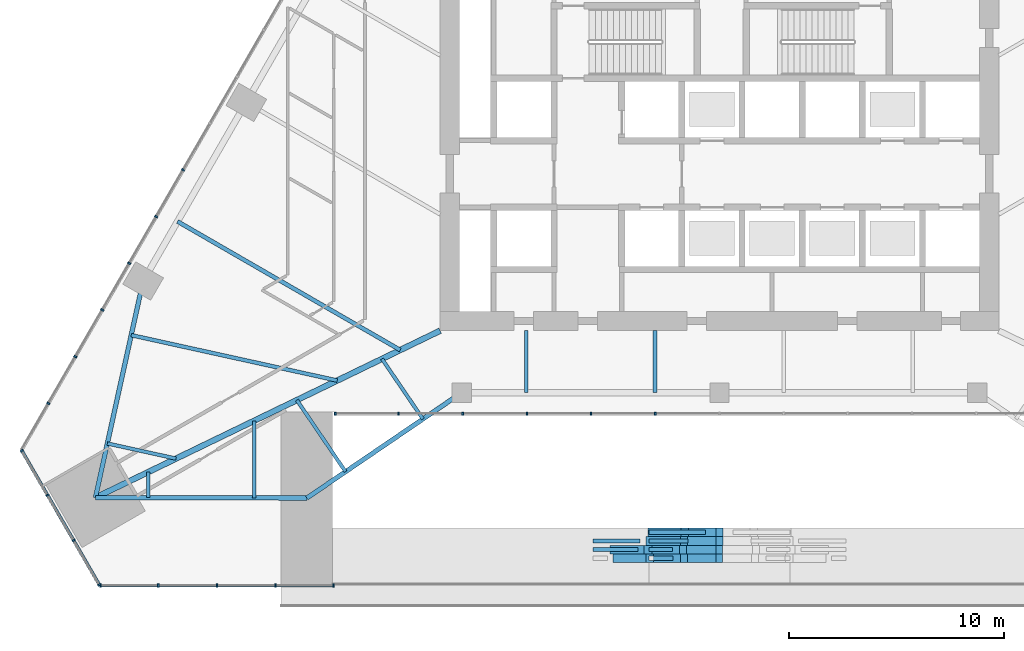
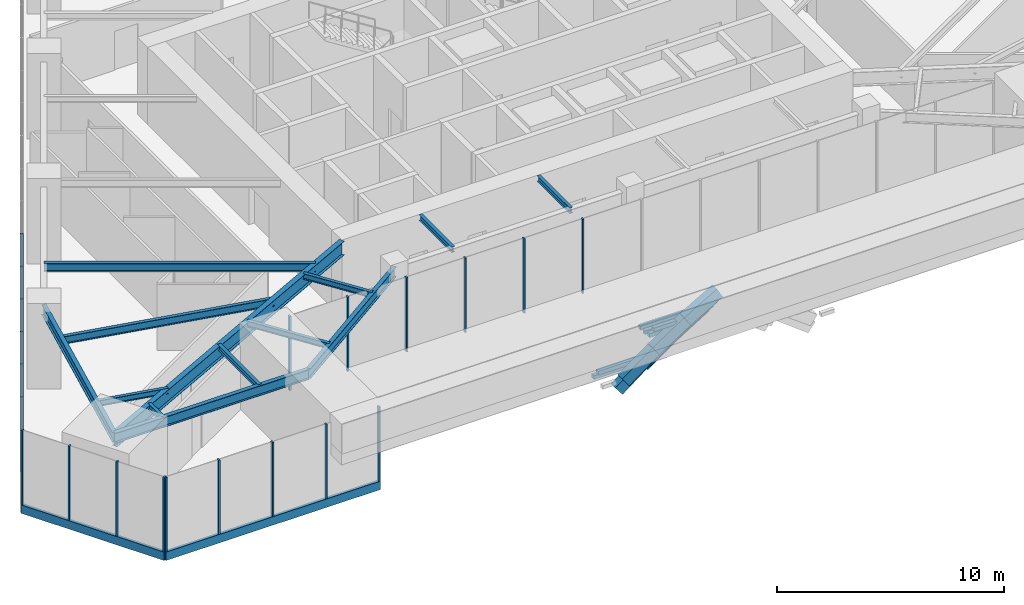
# One storey, part 2 of 23: 33 members, 19 beams, 4 elements without a shape of their own.
"""IFC4 building model written with IfcOpenShell, lengths in metres."""

import ifcopenshell
import ifcopenshell.guid

model = None  # the IFC model being written
_history = None  # IfcOwnerHistory: only IFC2X3 demands one
_inside = {}  # id of a spatial element -> (the spatial element, [elements in it])
_under = {}  # id of a project, library or spatial element -> (it, [spatial elements below it])
_declared = {}  # id of a project -> (the project, [libraries it declares])
_typed = {}  # id of a type object -> (the type object, [elements of that type])
_made_of = {}  # id of a material, layer set ... -> (it, [elements and type objects made of it])


def new_model(schema):
    """Start an empty IFC model of exactly this schema.

    Asked for "IFC4X3", IfcOpenShell would pick the latest addendum, in which some entities
    have other attributes; the version numbers below select the first issue.
    IFC2X3 requires an IfcOwnerHistory on every rooted entity: one is made here for all.
    """
    global model, _history
    if schema == "IFC4X3":
        model = ifcopenshell.file(schema_version=(4, 3, 0, 0))
    else:
        model = ifcopenshell.file(schema=schema)
    _inside.clear()
    _under.clear()
    _declared.clear()
    _typed.clear()
    _made_of.clear()
    _history = None
    if model.schema == "IFC2X3":
        org = make("IfcOrganization", Name="unknown")
        user = make(
            "IfcPersonAndOrganization",
            ThePerson=make("IfcPerson", FamilyName="unknown"),
            TheOrganization=org,
        )
        app = make(
            "IfcApplication",
            ApplicationDeveloper=org,
            Version="unknown",
            ApplicationFullName="unknown",
            ApplicationIdentifier="unknown",
        )
        _history = make(
            "IfcOwnerHistory",
            OwningUser=user,
            OwningApplication=app,
            ChangeAction="ADDED",
            CreationDate=0,
        )
    return model


def make(cls, **values):
    """One entity of the class cls with the attributes given. An attribute that is None is left unset."""
    return model.create_entity(
        cls, **{name: value for name, value in values.items() if value is not None}
    )


def rooted(cls, **values):
    """An entity with a GlobalId (a new one), such as an element, a storey or a relation."""
    return make(cls, GlobalId=ifcopenshell.guid.new(), OwnerHistory=_history, **values)


def si_unit(unit_type, name, prefix=None):
    """IfcSIUnit, for example si_unit("LENGTHUNIT", "METRE", prefix="MILLI")."""
    return make("IfcSIUnit", UnitType=unit_type, Prefix=prefix, Name=name)


def assignment(units):
    """IfcUnitAssignment: the units of a project."""
    return None if units is None else make("IfcUnitAssignment", Units=units)


def point(xyz):
    """IfcCartesianPoint."""
    return None if xyz is None else make("IfcCartesianPoint", Coordinates=xyz)


def direction(xyz):
    """IfcDirection."""
    return None if xyz is None else make("IfcDirection", DirectionRatios=xyz)


def frame(location, z_axis=None, x_axis=None):
    """IfcAxis2Placement3D, a coordinate frame: its origin and axes. An axis left out is left unset."""
    return make(
        "IfcAxis2Placement3D",
        Location=point(location),
        Axis=direction(z_axis),
        RefDirection=direction(x_axis),
    )


def frame_2d(location, x_axis=None):
    """IfcAxis2Placement2D, a coordinate frame in the plane: its origin and x axis."""
    return make(
        "IfcAxis2Placement2D", Location=point(location), RefDirection=direction(x_axis)
    )


def origin():
    """The frame at (0, 0, 0) with its axes left unset."""
    return frame((0.0, 0.0, 0.0))


def origin_2d():
    """The frame at (0, 0) in the plane with its x axis left unset."""
    return frame_2d((0.0, 0.0))


def place(relative_to, where):
    """IfcLocalPlacement: puts the frame where relative to a parent placement (None: the world)."""
    return make(
        "IfcLocalPlacement", PlacementRelTo=relative_to, RelativePlacement=where
    )


def context(
    kind, dimensions, precision=None, world=None, true_north=None, identifier=None
):
    """IfcGeometricRepresentationContext, for example the 3D "Model" context."""
    return make(
        "IfcGeometricRepresentationContext",
        ContextIdentifier=identifier,
        ContextType=kind,
        CoordinateSpaceDimension=dimensions,
        Precision=precision,
        WorldCoordinateSystem=world,
        TrueNorth=true_north,
    )


def subcontext(parent, identifier, kind, view, scale=None):
    """IfcGeometricRepresentationSubContext, for example "Body" below "Model"."""
    return make(
        "IfcGeometricRepresentationSubContext",
        ContextIdentifier=identifier,
        ContextType=kind,
        ParentContext=parent,
        TargetScale=scale,
        TargetView=view,
    )


def project(units=None, contexts=None):
    """IfcProject with its units and contexts."""
    return rooted(
        "IfcProject",
        Name="project",
        RepresentationContexts=contexts,
        UnitsInContext=assignment(units),
    )


def spatial(cls, under=None, at=None, **own):
    """A site, building, storey or space (cls), placed at a placement, below another one or the project."""
    s = rooted(cls, ObjectPlacement=at, **own)
    if under is not None:
        _under.setdefault(under.id(), (under, []))[1].append(s)
    return s


def profile(cls, at=None, kind="AREA", **sizes):
    """A parametric profile (cls). Its sizes go by their IFC names, for example OverallWidth=200.0."""
    return make(cls, ProfileType=kind, Position=at, **sizes)


def rectangle(**sizes):
    """IfcRectangleProfileDef."""
    return profile("IfcRectangleProfileDef", **sizes)


def i_section(**sizes):
    """IfcIShapeProfileDef."""
    return profile("IfcIShapeProfileDef", **sizes)


def extrude(swept, where, along, depth):
    """IfcExtrudedAreaSolid: the profile swept, set in the frame where, extruded along a direction by depth."""
    return make(
        "IfcExtrudedAreaSolid",
        SweptArea=swept,
        Position=where,
        ExtrudedDirection=direction(along),
        Depth=depth,
    )


def shape(context_of_items, identifier, shape_type, items):
    """IfcShapeRepresentation: the items that make up one representation, for example the "Body"."""
    return make(
        "IfcShapeRepresentation",
        ContextOfItems=context_of_items,
        RepresentationIdentifier=identifier,
        RepresentationType=shape_type,
        Items=items,
    )


def material(Name=None, Category=None):
    """IfcMaterial."""
    return make("IfcMaterial", Name=Name, Category=Category)


def layer(
    of_material, thickness, ventilated=None, Name=None, Category=None, Priority=None
):
    """IfcMaterialLayer: one layer of a wall or slab, of a material (None: an air gap)."""
    return make(
        "IfcMaterialLayer",
        Material=of_material,
        LayerThickness=thickness,
        IsVentilated=ventilated,
        Name=Name,
        Category=Category,
        Priority=Priority,
    )


def layer_set(layers, Name=None):
    """IfcMaterialLayerSet."""
    return make("IfcMaterialLayerSet", MaterialLayers=layers, LayerSetName=Name)


def material_profile(
    of_material, cross_section, Name=None, Category=None, Priority=None
):
    """IfcMaterialProfile: a cross section and its material."""
    return make(
        "IfcMaterialProfile",
        Name=Name,
        Material=of_material,
        Profile=cross_section,
        Priority=Priority,
        Category=Category,
    )


def profile_set(profiles, Name=None, composite=None):
    """IfcMaterialProfileSet."""
    return make(
        "IfcMaterialProfileSet",
        Name=Name,
        MaterialProfiles=profiles,
        CompositeProfile=composite,
    )


def made_of(thing, what):
    """Note that an element or type object is made of a material, layer set ...; save() writes the relation."""
    if what is not None:
        _made_of.setdefault(what.id(), (what, []))[1].append(thing)
    return thing


def type_object(cls, material=None, **own):
    """A type object (cls), such as IfcWallType, which elements share."""
    return made_of(rooted(cls, **own), material)


def element(
    cls,
    number,
    at=None,
    inside=None,
    cuts=None,
    type_object=None,
    material=None,
    context=None,
    identifier="Body",
    shape_type=None,
    held_by="IfcProductDefinitionShape",
    body=None,
    shapes=None,
    **own,
):
    """One element of the class cls, such as IfcWall. Its Tag is "e" and its number.

    at: its placement. inside: the storey or other place that contains it. cuts: it is an
    opening in that element (IfcRelVoidsElement). A single representation is given by context,
    identifier, shape_type and body (its items); several are given by shapes. held_by: the class
    of the entity that holds the representations. save() writes the other relations.
    """
    e = rooted(cls, Tag="e%d" % number, ObjectPlacement=at, **own)
    if body is not None:
        shapes = [shape(context, identifier, shape_type, body)]
    if shapes is not None:
        e.Representation = make(held_by, Representations=shapes)
    if inside is not None:
        _inside.setdefault(inside.id(), (inside, []))[1].append(e)
    if cuts is not None:
        rooted(
            "IfcRelVoidsElement", RelatingBuildingElement=cuts, RelatedOpeningElement=e
        )
    if type_object is not None:
        _typed.setdefault(type_object.id(), (type_object, []))[1].append(e)
    return made_of(e, material)


def aggregate(whole, parts):
    """IfcRelAggregates: a whole, such as a stair, and the parts it consists of."""
    return rooted("IfcRelAggregates", RelatingObject=whole, RelatedObjects=parts)


def save(model, path):
    """Write the relations noted so far, then the file.

    IfcRelAggregates (storeys below a building ...), IfcRelContainedInSpatialStructure (elements
    in a storey), IfcRelDefinesByType, IfcRelAssociatesMaterial and IfcRelDeclares: one each for
    every whole, place, type object, material and project.
    """
    for whole, parts in _under.values():
        aggregate(whole, parts)
    for where, things in _inside.values():
        rooted(
            "IfcRelContainedInSpatialStructure",
            RelatedElements=things,
            RelatingStructure=where,
        )
    for kind, things in _typed.values():
        rooted("IfcRelDefinesByType", RelatedObjects=things, RelatingType=kind)
    for what, things in _made_of.values():
        rooted("IfcRelAssociatesMaterial", RelatedObjects=things, RelatingMaterial=what)
    for by, libraries in _declared.values():
        rooted("IfcRelDeclares", RelatingContext=by, RelatedDefinitions=libraries)
    model.write(path)


model = new_model("IFC4")

# Units and contexts
model_context = context("Model", 3, precision=1e-05, world=origin(), true_north=direction((0.0, 1.0)))
body_context = subcontext(model_context, "Body", "Model", "MODEL_VIEW")
ifc_project = project(units=[si_unit("LENGTHUNIT", "METRE"), si_unit("AREAUNIT", "SQUARE_METRE"), si_unit("VOLUMEUNIT", "CUBIC_METRE"), si_unit("PLANEANGLEUNIT", "RADIAN"), si_unit("MASSUNIT", "GRAM", prefix="KILO")], contexts=[model_context])

# Site, building, storey
site_placement = place(None, origin())
site = spatial("IfcSite", under=ifc_project, at=site_placement, CompositionType="ELEMENT")
building_placement = place(site_placement, origin())
building = spatial("IfcBuilding", under=site, at=building_placement, Name="Firuza Gate Tower and Library", CompositionType="ELEMENT")
storey_placement = place(building_placement, frame((0.0, 0.0, 26.39990234375)))
storey = spatial("IfcBuildingStorey", under=building, at=storey_placement, Name="L05", CompositionType="ELEMENT", Elevation=26.39990234375)

# Members
ifc_material_1 = material(Name="Concrete C60/75", Category="concrete")
ifc_material_profile_1 = material_profile(ifc_material_1, rectangle(XDim=0.39990234375, YDim=0.60009765625, at=origin_2d()))
ifc_profile_set_1 = profile_set([ifc_material_profile_1], Name="Concrete C60/75")
member_type_1 = type_object("IfcMemberType", Name="Arch rib 600x400", PredefinedType="USERDEFINED", material=ifc_profile_set_1)
member_1_placement = place(storey_placement, frame((70.21435546875, 55.415283203125, 0.159423828125), z_axis=(0.80366585761, 0.0, 0.595080825864), x_axis=(0.0, 1.0, 0.0)))
element("IfcMember", 1, at=member_1_placement, inside=storey, type_object=member_type_1, Name="Arch rib 1.17", ObjectType="ARCH RIB", PredefinedType="USERDEFINED", context=body_context, shape_type="SweptSolid", body=[
    extrude(rectangle(XDim=0.39990234375, YDim=0.60009765625, at=origin_2d()), origin(), (0.0, 0.0, 1.0), 1.91015625),
])
member_2_placement = place(storey_placement, frame((71.74951171875, 55.415283203125, 1.296142578125), z_axis=(0.836079057749, 0.0, 0.548608976588), x_axis=(0.0, 1.0, 0.0)))
element("IfcMember", 2, at=member_2_placement, inside=storey, type_object=member_type_1, Name="Arch rib 1.18", ObjectType="ARCH RIB", PredefinedType="USERDEFINED", context=body_context, shape_type="SweptSolid", body=[
    extrude(rectangle(XDim=0.39990234375, YDim=0.60009765625, at=origin_2d()), origin(), (0.0, 0.0, 1.0), 1.909912109375),
])
member_3_placement = place(storey_placement, frame((73.346435546875, 55.415283203125, 2.343994140625), z_axis=(0.865714926757, 0.0, 0.500537376817), x_axis=(0.0, 1.0, 0.0)))
element("IfcMember", 3, at=member_3_placement, inside=storey, type_object=member_type_1, Name="Arch rib 1.19", ObjectType="ARCH RIB", PredefinedType="USERDEFINED", context=body_context, shape_type="SweptSolid", body=[
    extrude(rectangle(XDim=0.39990234375, YDim=0.60009765625, at=origin_2d()), origin(), (0.0, 0.0, 1.0), 1.91015625),
])
for number, where, z_axis, x_axis, name in (
    (4, (70.10009765625, 55.8154296875, -0.515380859375), (0.793634224515, 0.0, 0.6083951986), (0.0, 1.0, 0.0), "Arch rib 2.16"),
    (5, (71.6669921875, 55.8154296875, 0.685791015625), (0.828226022173, 0.0, 0.560394197147), (0.0, 1.0, 0.0), "Arch rib 2.17"),
    (6, (73.30224609375, 55.8154296875, 1.792236328125), (0.859905630593, 0.0, 0.510453040421), (0.0, 1.0, 0.0), "Arch rib 2.18"),
):
    element("IfcMember", number, at=place(storey_placement, frame(where, z_axis=z_axis, x_axis=x_axis)), inside=storey, type_object=member_type_1, Name=name, ObjectType="ARCH RIB", PredefinedType="USERDEFINED", context=body_context, shape_type="SweptSolid", body=[
        extrude(rectangle(XDim=0.39990234375, YDim=0.60009765625, at=origin_2d()), origin(), (0.0, 0.0, 1.0), 1.974365234375),
    ])
for number, where, z_axis, x_axis, name in (
    (7, (71.75830078125, 56.21533203125, 0.19775390625), (0.822723893417, 0.0, 0.568441197663), (0.0, 1.0, 0.0), "Arch rib 3.17"),
    (8, (73.348388671875, 56.21533203125, 1.29638671875), (0.854581303166, 0.0, 0.519317625619), (0.0, 1.0, 0.0), "Arch rib 3.18"),
):
    element("IfcMember", number, at=place(storey_placement, frame(where, z_axis=z_axis, x_axis=x_axis)), inside=storey, type_object=member_type_1, Name=name, ObjectType="ARCH RIB", PredefinedType="USERDEFINED", context=body_context, shape_type="SweptSolid", body=[
        extrude(rectangle(XDim=0.39990234375, YDim=0.60009765625, at=origin_2d()), origin(), (0.0, 0.0, 1.0), 1.9326171875),
    ])
member_4_placement = place(storey_placement, frame((71.849853515625, 56.615478515625, -0.290283203125), z_axis=(0.816896304642, 0.0, 0.576784558967), x_axis=(0.0, 1.0, 0.0)))
element("IfcMember", 9, at=member_4_placement, inside=storey, type_object=member_type_1, Name="Arch rib 4.17", ObjectType="ARCH RIB", PredefinedType="USERDEFINED", context=body_context, shape_type="SweptSolid", body=[
    extrude(rectangle(XDim=0.39990234375, YDim=0.60009765625, at=origin_2d()), origin(), (0.0, 0.0, 1.0), 1.89111328125),
])
member_5_placement = place(storey_placement, frame((73.394775390625, 56.615478515625, 0.800537109375), z_axis=(0.848889257738, 0.0, 0.528570740864), x_axis=(0.0, 1.0, 0.0)))
element("IfcMember", 10, at=member_5_placement, inside=storey, type_object=member_type_1, Name="Arch rib 4.18", ObjectType="ARCH RIB", PredefinedType="USERDEFINED", context=body_context, shape_type="SweptSolid", body=[
    extrude(rectangle(XDim=0.39990234375, YDim=0.60009765625, at=origin_2d()), origin(), (0.0, 0.0, 1.0), 1.890869140625),
])

# Beams
ifc_material_2 = material(Name="Concrete C60/75", Category="concrete")
ifc_material_profile_2 = material_profile(ifc_material_2, rectangle(XDim=0.199951171875, YDim=0.199951171875, at=origin_2d()))
ifc_profile_set_2 = profile_set([ifc_material_profile_2], Name="Concrete C60/75")
beam_type_1 = type_object("IfcBeamType", Name="Arch rib bracket 200x200", PredefinedType="BEAM", material=ifc_profile_set_2)
beam_1_placement = place(storey_placement, frame((71.713623046875, 55.415283203125, 2.39404296875), z_axis=(1.0, 0.0, 0.0), x_axis=(0.0, 1.0, 0.0)))
element("IfcBeam", 11, at=beam_1_placement, inside=storey, type_object=beam_type_1, Name="Arch rib bracket 1.19", PredefinedType="BEAM", context=body_context, shape_type="SweptSolid", body=[
    extrude(rectangle(XDim=0.199951171875, YDim=0.199951171875, at=origin_2d()), origin(), (0.0, 0.0, 1.0), 1.1298828125),
])
beam_2_placement = place(storey_placement, frame((69.109375, 55.8154296875, 0.73583984375), z_axis=(1.0, 0.0, 0.0), x_axis=(0.0, 1.0, 0.0)))
element("IfcBeam", 12, at=beam_2_placement, inside=storey, type_object=beam_type_1, Name="Arch rib bracket 2.17", PredefinedType="BEAM", context=body_context, shape_type="SweptSolid", body=[
    extrude(rectangle(XDim=0.199951171875, YDim=0.199951171875, at=origin_2d()), origin(), (0.0, 0.0, 1.0), 2.106201171875),
])
beam_3_placement = place(storey_placement, frame((71.713623046875, 55.8154296875, 1.84228515625), z_axis=(1.0, 0.0, 0.0), x_axis=(0.0, 1.0, 0.0)))
element("IfcBeam", 13, at=beam_3_placement, inside=storey, type_object=beam_type_1, Name="Arch rib bracket 2.18", PredefinedType="BEAM", context=body_context, shape_type="SweptSolid", body=[
    extrude(rectangle(XDim=0.199951171875, YDim=0.199951171875, at=origin_2d()), origin(), (0.0, 0.0, 1.0), 1.09521484375),
])
beam_4_placement = place(storey_placement, frame((69.109375, 56.21533203125, 0.24755859375), z_axis=(1.0, 0.0, 0.0), x_axis=(0.0, 1.0, 0.0)))
element("IfcBeam", 14, at=beam_4_placement, inside=storey, type_object=beam_type_1, Name="Arch rib bracket 3.17", PredefinedType="BEAM", context=body_context, shape_type="SweptSolid", body=[
    extrude(rectangle(XDim=0.199951171875, YDim=0.199951171875, at=origin_2d()), origin(), (0.0, 0.0, 1.0), 2.20361328125),
])
beam_5_placement = place(storey_placement, frame((71.713623046875, 56.21533203125, 1.7529296875), z_axis=(1.0, 0.0, 0.0), x_axis=(0.0, 1.0, 0.0)))
element("IfcBeam", 15, at=beam_5_placement, inside=storey, type_object=beam_type_1, Name="Arch rib bracket 3.18", PredefinedType="BEAM", context=body_context, shape_type="SweptSolid", body=[
    extrude(rectangle(XDim=0.199951171875, YDim=0.199951171875, at=origin_2d()), origin(), (0.0, 0.0, 1.0), 1.818603515625),
])
beam_6_placement = place(storey_placement, frame((71.713623046875, 56.615478515625, 1.75), z_axis=(1.0, 0.0, 0.0), x_axis=(0.0, 1.0, 0.0)))
element("IfcBeam", 16, at=beam_6_placement, inside=storey, type_object=beam_type_1, Name="Arch rib bracket 4.18", PredefinedType="BEAM", context=body_context, shape_type="SweptSolid", body=[
    extrude(rectangle(XDim=0.199951171875, YDim=0.199951171875, at=origin_2d()), origin(), (0.0, 0.0, 1.0), 2.6484375),
])

# Curtain wall, members
ifc_material_3 = material(Name="Aluminium 6063-T6", Category="aluminium")
ifc_layer_1 = layer(ifc_material_3, 0.14990234375)
ifc_layer_set_1 = layer_set([ifc_layer_1], Name="Stick curtain wall, podium")
curtain_wall_type_1 = type_object("IfcCurtainWallType", Name="Stick curtain wall, podium", PredefinedType="NOTDEFINED", material=ifc_layer_set_1)
placement = place(storey_placement, origin())
curtain_wall_1 = element("IfcCurtainWall", 17, at=placement, inside=storey, type_object=curtain_wall_type_1, Name="CW5 L05 S", PredefinedType="NOTDEFINED")
ifc_material_4 = material(Name="Aluminium 6063-T6", Category="aluminium")
ifc_material_profile_3 = material_profile(ifc_material_4, rectangle(XDim=0.14990234375, YDim=0.080078125, at=origin_2d()))
ifc_profile_set_3 = profile_set([ifc_material_profile_3], Name="Aluminium 6063-T6")
member_type_2 = type_object("IfcMemberType", Name="Curtain wall mullion 80x150", PredefinedType="MULLION", material=ifc_profile_set_3)
member_6_placement = place(storey_placement, frame((46.19677734375, 54.140380859375, 0.150146484375), z_axis=(0.0, 0.0, 1.0), x_axis=(0.0, 1.0, 0.0)))
member_6 = element("IfcMember", 18, at=member_6_placement, type_object=member_type_2, Name="Mullion", PredefinedType="MULLION", context=body_context, shape_type="SweptSolid", body=[
    extrude(rectangle(XDim=0.14990234375, YDim=0.080078125, at=origin_2d()), origin(), (0.0, 0.0, 1.0), 4.0),
])
member_7_placement = place(storey_placement, frame((48.88623046875, 54.140380859375, 0.150146484375), z_axis=(0.0, 0.0, 1.0), x_axis=(0.0, 1.0, 0.0)))
member_7 = element("IfcMember", 19, at=member_7_placement, type_object=member_type_2, Name="Mullion", PredefinedType="MULLION", context=body_context, shape_type="SweptSolid", body=[
    extrude(rectangle(XDim=0.14990234375, YDim=0.080078125, at=origin_2d()), origin(), (0.0, 0.0, 1.0), 4.0),
])
member_8_placement = place(storey_placement, frame((51.615966796875, 54.140380859375, 0.150146484375), z_axis=(0.0, 0.0, 1.0), x_axis=(0.0, 1.0, 0.0)))
member_8 = element("IfcMember", 20, at=member_8_placement, type_object=member_type_2, Name="Mullion", PredefinedType="MULLION", context=body_context, shape_type="SweptSolid", body=[
    extrude(rectangle(XDim=0.14990234375, YDim=0.080078125, at=origin_2d()), origin(), (0.0, 0.0, 1.0), 4.0),
])
member_9_placement = place(storey_placement, frame((54.345458984375, 54.140380859375, 0.150146484375), z_axis=(0.0, 0.0, 1.0), x_axis=(0.0, 1.0, 0.0)))
member_9 = element("IfcMember", 21, at=member_9_placement, type_object=member_type_2, Name="Mullion", PredefinedType="MULLION", context=body_context, shape_type="SweptSolid", body=[
    extrude(rectangle(XDim=0.14990234375, YDim=0.080078125, at=origin_2d()), origin(), (0.0, 0.0, 1.0), 4.0),
])
member_10_placement = place(storey_placement, frame((57.034912109375, 54.140380859375, 0.150146484375), z_axis=(0.0, 0.0, 1.0), x_axis=(0.0, 1.0, 0.0)))
member_10 = element("IfcMember", 22, at=member_10_placement, type_object=member_type_2, Name="Mullion", PredefinedType="MULLION", context=body_context, shape_type="SweptSolid", body=[
    extrude(rectangle(XDim=0.14990234375, YDim=0.080078125, at=origin_2d()), origin(), (0.0, 0.0, 1.0), 4.0),
])

ifc_material_5 = material(Name="Aluminium 6063-T6", Category="aluminium")
ifc_layer_2 = layer(ifc_material_5, 0.14990234375)
ifc_layer_set_2 = layer_set([ifc_layer_2], Name="Stick curtain wall, gate lobby")
curtain_wall_type_2 = type_object("IfcCurtainWallType", Name="Stick curtain wall, gate lobby", PredefinedType="NOTDEFINED", material=ifc_layer_set_2)
curtain_wall_2 = element("IfcCurtainWall", 23, at=placement, inside=storey, type_object=curtain_wall_type_2, Name="CW7 L05 gate lobby", PredefinedType="NOTDEFINED")
member_11_placement = place(storey_placement, frame((57.114990234375, 62.140380859375, 0.150146484375), z_axis=(0.0, 0.0, 1.0), x_axis=(0.0, 1.0, 0.0)))
member_11 = element("IfcMember", 24, at=member_11_placement, type_object=member_type_2, Name="Mullion", PredefinedType="MULLION", context=body_context, shape_type="SweptSolid", body=[
    extrude(rectangle(XDim=0.14990234375, YDim=0.080078125, at=origin_2d()), origin(), (0.0, 0.0, 1.0), 4.0),
])
member_12_placement = place(storey_placement, frame((60.0625, 62.140380859375, 0.150146484375), z_axis=(0.0, 0.0, 1.0), x_axis=(0.0, 1.0, 0.0)))
member_12 = element("IfcMember", 25, at=member_12_placement, type_object=member_type_2, Name="Mullion", PredefinedType="MULLION", context=body_context, shape_type="SweptSolid", body=[
    extrude(rectangle(XDim=0.14990234375, YDim=0.080078125, at=origin_2d()), origin(), (0.0, 0.0, 1.0), 4.0),
])
member_13_placement = place(storey_placement, frame((63.050048828125, 62.140380859375, 0.150146484375), z_axis=(0.0, 0.0, 1.0), x_axis=(0.0, 1.0, 0.0)))
member_13 = element("IfcMember", 26, at=member_13_placement, type_object=member_type_2, Name="Mullion", PredefinedType="MULLION", context=body_context, shape_type="SweptSolid", body=[
    extrude(rectangle(XDim=0.14990234375, YDim=0.080078125, at=origin_2d()), origin(), (0.0, 0.0, 1.0), 4.0),
])
member_14_placement = place(storey_placement, frame((66.03759765625, 62.140380859375, 0.150146484375), z_axis=(0.0, 0.0, 1.0), x_axis=(0.0, 1.0, 0.0)))
member_14 = element("IfcMember", 27, at=member_14_placement, type_object=member_type_2, Name="Mullion", PredefinedType="MULLION", context=body_context, shape_type="SweptSolid", body=[
    extrude(rectangle(XDim=0.14990234375, YDim=0.080078125, at=origin_2d()), origin(), (0.0, 0.0, 1.0), 4.0),
])
member_15_placement = place(storey_placement, frame((69.02490234375, 62.140380859375, 0.150146484375), z_axis=(0.0, 0.0, 1.0), x_axis=(0.0, 1.0, 0.0)))
member_15 = element("IfcMember", 28, at=member_15_placement, type_object=member_type_2, Name="Mullion", PredefinedType="MULLION", context=body_context, shape_type="SweptSolid", body=[
    extrude(rectangle(XDim=0.14990234375, YDim=0.080078125, at=origin_2d()), origin(), (0.0, 0.0, 1.0), 4.0),
])
member_16_placement = place(storey_placement, frame((72.012451171875, 62.140380859375, 0.150146484375), z_axis=(0.0, 0.0, 1.0), x_axis=(0.0, 1.0, 0.0)))
member_16 = element("IfcMember", 29, at=member_16_placement, type_object=member_type_2, Name="Mullion", PredefinedType="MULLION", context=body_context, shape_type="SweptSolid", body=[
    extrude(rectangle(XDim=0.14990234375, YDim=0.080078125, at=origin_2d()), origin(), (0.0, 0.0, 1.0), 4.0),
])
aggregate(curtain_wall_2, [member_11, member_12, member_13, member_14, member_15, member_16])

curtain_wall_3 = element("IfcCurtainWall", 30, at=placement, inside=storey, type_object=curtain_wall_type_1, Name="CW5 L05 W", PredefinedType="NOTDEFINED")
member_17_placement = place(storey_placement, frame((50.037841796875, 73.4833984375, 0.150146484375), z_axis=(0.0, 0.0, 1.0), x_axis=(0.866025403784, -0.5, 0.0)))
member_17 = element("IfcMember", 31, at=member_17_placement, type_object=member_type_2, Name="Mullion", PredefinedType="MULLION", context=body_context, shape_type="SweptSolid", body=[
    extrude(rectangle(XDim=0.14990234375, YDim=0.080078125, at=origin_2d()), origin(), (0.0, 0.0, 1.0), 4.0),
])
member_18_placement = place(storey_placement, frame((48.78369140625, 71.311279296875, 0.150146484375), z_axis=(0.0, 0.0, 1.0), x_axis=(0.866025403784, -0.5, 0.0)))
member_18 = element("IfcMember", 32, at=member_18_placement, type_object=member_type_2, Name="Mullion", PredefinedType="MULLION", context=body_context, shape_type="SweptSolid", body=[
    extrude(rectangle(XDim=0.14990234375, YDim=0.080078125, at=origin_2d()), origin(), (0.0, 0.0, 1.0), 4.0),
])
member_19_placement = place(storey_placement, frame((47.529541015625, 69.13916015625, 0.150146484375), z_axis=(0.0, 0.0, 1.0), x_axis=(0.866025403784, -0.5, 0.0)))
member_19 = element("IfcMember", 33, at=member_19_placement, type_object=member_type_2, Name="Mullion", PredefinedType="MULLION", context=body_context, shape_type="SweptSolid", body=[
    extrude(rectangle(XDim=0.14990234375, YDim=0.080078125, at=origin_2d()), origin(), (0.0, 0.0, 1.0), 4.0),
])
member_20_placement = place(storey_placement, frame((46.275634765625, 66.967041015625, 0.150146484375), z_axis=(0.0, 0.0, 1.0), x_axis=(0.866025403784, -0.5, 0.0)))
member_20 = element("IfcMember", 34, at=member_20_placement, type_object=member_type_2, Name="Mullion", PredefinedType="MULLION", context=body_context, shape_type="SweptSolid", body=[
    extrude(rectangle(XDim=0.14990234375, YDim=0.080078125, at=origin_2d()), origin(), (0.0, 0.0, 1.0), 4.0),
])
member_21_placement = place(storey_placement, frame((45.021484375, 64.794921875, 0.150146484375), z_axis=(0.0, 0.0, 1.0), x_axis=(0.866025403784, -0.5, 0.0)))
member_21 = element("IfcMember", 35, at=member_21_placement, type_object=member_type_2, Name="Mullion", PredefinedType="MULLION", context=body_context, shape_type="SweptSolid", body=[
    extrude(rectangle(XDim=0.14990234375, YDim=0.080078125, at=origin_2d()), origin(), (0.0, 0.0, 1.0), 4.0),
])
member_22_placement = place(storey_placement, frame((43.767333984375, 62.622802734375, 0.150146484375), z_axis=(0.0, 0.0, 1.0), x_axis=(0.866025403784, -0.5, 0.0)))
member_22 = element("IfcMember", 36, at=member_22_placement, type_object=member_type_2, Name="Mullion", PredefinedType="MULLION", context=body_context, shape_type="SweptSolid", body=[
    extrude(rectangle(XDim=0.14990234375, YDim=0.080078125, at=origin_2d()), origin(), (0.0, 0.0, 1.0), 4.0),
])
aggregate(curtain_wall_3, [member_17, member_18, member_19, member_20, member_21, member_22])

curtain_wall_4 = element("IfcCurtainWall", 37, at=placement, inside=storey, type_object=curtain_wall_type_1, Name="CW5 L05 SW", PredefinedType="NOTDEFINED")
member_23_placement = place(storey_placement, frame((42.533447265625, 60.416015625, 0.150146484375), z_axis=(0.0, 0.0, 1.0), x_axis=(0.866025403784, 0.5, 0.0)))
member_23 = element("IfcMember", 38, at=member_23_placement, type_object=member_type_2, Name="Mullion", PredefinedType="MULLION", context=body_context, shape_type="SweptSolid", body=[
    extrude(rectangle(XDim=0.14990234375, YDim=0.080078125, at=origin_2d()), origin(), (0.0, 0.0, 1.0), 4.0),
])
member_24_placement = place(storey_placement, frame((43.727783203125, 58.347412109375, 0.150146484375), z_axis=(0.0, 0.0, 1.0), x_axis=(0.866025403784, 0.5, 0.0)))
member_24 = element("IfcMember", 39, at=member_24_placement, type_object=member_type_2, Name="Mullion", PredefinedType="MULLION", context=body_context, shape_type="SweptSolid", body=[
    extrude(rectangle(XDim=0.14990234375, YDim=0.080078125, at=origin_2d()), origin(), (0.0, 0.0, 1.0), 4.0),
])
member_25_placement = place(storey_placement, frame((44.9423828125, 56.243896484375, 0.150146484375), z_axis=(0.0, 0.0, 1.0), x_axis=(0.866025403784, 0.5, 0.0)))
member_25 = element("IfcMember", 40, at=member_25_placement, type_object=member_type_2, Name="Mullion", PredefinedType="MULLION", context=body_context, shape_type="SweptSolid", body=[
    extrude(rectangle(XDim=0.14990234375, YDim=0.080078125, at=origin_2d()), origin(), (0.0, 0.0, 1.0), 4.0),
])
member_26_placement = place(storey_placement, frame((46.13671875, 54.175048828125, 0.150146484375), z_axis=(0.0, 0.0, 1.0), x_axis=(0.866025403784, 0.5, 0.0)))
member_26 = element("IfcMember", 41, at=member_26_placement, type_object=member_type_2, Name="Mullion", PredefinedType="MULLION", context=body_context, shape_type="SweptSolid", body=[
    extrude(rectangle(XDim=0.14990234375, YDim=0.080078125, at=origin_2d()), origin(), (0.0, 0.0, 1.0), 4.0),
])

# Member
ifc_material_6 = material(Name="Aluminium 6063-T6", Category="aluminium")
ifc_material_profile_4 = material_profile(ifc_material_6, rectangle(XDim=0.14990234375, YDim=0.449951171875, at=origin_2d()))
ifc_profile_set_4 = profile_set([ifc_material_profile_4], Name="Aluminium 6063-T6")
member_type_3 = type_object("IfcMemberType", Name="Curtain wall transom 450x150", PredefinedType="USERDEFINED", material=ifc_profile_set_4)
member_27_placement = place(storey_placement, frame((46.15673828125, 54.140380859375, -0.074951171875), z_axis=(1.0, 0.0, 0.0), x_axis=(0.0, 1.0, 0.0)))
member_27 = element("IfcMember", 42, at=member_27_placement, type_object=member_type_3, Name="Transom", ObjectType="TRANSOM", PredefinedType="USERDEFINED", context=body_context, shape_type="SweptSolid", body=[
    extrude(rectangle(XDim=0.14990234375, YDim=0.449951171875, at=origin_2d()), origin(), (0.0, 0.0, 1.0), 10.918212890625),
])

aggregate(curtain_wall_1, [member_6, member_7, member_8, member_9, member_10, member_27])

member_28_placement = place(storey_placement, frame((42.513427734375, 60.45068359375, -0.074951171875), z_axis=(0.500005719219, -0.866022101766, 0.0), x_axis=(0.866022101766, 0.500005719219, 0.0)))
member_28 = element("IfcMember", 43, at=member_28_placement, type_object=member_type_3, Name="Transom", ObjectType="TRANSOM", PredefinedType="USERDEFINED", context=body_context, shape_type="SweptSolid", body=[
    extrude(rectangle(XDim=0.14990234375, YDim=0.449951171875, at=origin_2d()), origin(), (0.0, 0.0, 1.0), 7.28662109375),
])

aggregate(curtain_wall_4, [member_23, member_24, member_25, member_26, member_28])

# Beams
ifc_material_7 = material(Name="Steel S355", Category="steel")
ifc_material_profile_5 = material_profile(ifc_material_7, i_section(OverallWidth=0.1650390625, OverallDepth=0.31005859375, WebThickness=0.005859375, FlangeThickness=0.009765625, at=origin_2d()))
ifc_profile_set_5 = profile_set([ifc_material_profile_5], Name="Steel S355")
beam_type_2 = type_object("IfcBeamType", Name="W310x39 Floor beam", PredefinedType="JOIST", material=ifc_profile_set_5)
beam_7_placement = place(storey_placement, frame((46.513916015625, 60.75341796875, 3.9951171875), z_axis=(0.976601243751, -0.215058156564, 0.0), x_axis=(0.215058156564, 0.976601243751, 0.0)))
element("IfcBeam", 44, at=beam_7_placement, inside=storey, type_object=beam_type_2, Name="Floor beam L05 s01", PredefinedType="JOIST", context=body_context, shape_type="SweptSolid", body=[
    extrude(i_section(OverallWidth=0.1650390625, OverallDepth=0.31005859375, WebThickness=0.005859375, FlangeThickness=0.009765625, at=origin_2d()), origin(), (0.0, 0.0, 1.0), 3.27294921875),
])
beam_8_placement = place(storey_placement, frame((48.419189453125, 58.228759765625, 3.9951171875), z_axis=(0.00183635683, 0.999998313895, 0.0), x_axis=(-0.999998313895, 0.00183635683, 0.0)))
element("IfcBeam", 45, at=beam_8_placement, inside=storey, type_object=beam_type_2, Name="Floor beam L05 s10", PredefinedType="JOIST", context=body_context, shape_type="SweptSolid", body=[
    extrude(i_section(OverallWidth=0.1650390625, OverallDepth=0.31005859375, WebThickness=0.005859375, FlangeThickness=0.009765625, at=origin_2d()), origin(), (0.0, 0.0, 1.0), 1.196533203125),
])
beam_9_placement = place(storey_placement, frame((53.339599609375, 58.2197265625, 3.9951171875), z_axis=(0.001836107072, 0.999998314354, 0.0), x_axis=(-0.999998314354, 0.001836107072, 0.0)))
element("IfcBeam", 46, at=beam_9_placement, inside=storey, type_object=beam_type_2, Name="Floor beam L05 s11", PredefinedType="JOIST", context=body_context, shape_type="SweptSolid", body=[
    extrude(i_section(OverallWidth=0.1650390625, OverallDepth=0.31005859375, WebThickness=0.005859375, FlangeThickness=0.009765625, at=origin_2d()), origin(), (0.0, 0.0, 1.0), 3.590087890625),
])
beam_10_placement = place(storey_placement, frame((57.60009765625, 59.4404296875, 3.9951171875), z_axis=(-0.562657973934, 0.826689787265, 0.0), x_axis=(-0.826689787265, -0.562657973934, 0.0)))
element("IfcBeam", 47, at=beam_10_placement, inside=storey, type_object=beam_type_2, Name="Floor beam L05 s20", PredefinedType="JOIST", context=body_context, shape_type="SweptSolid", body=[
    extrude(i_section(OverallWidth=0.1650390625, OverallDepth=0.31005859375, WebThickness=0.005859375, FlangeThickness=0.009765625, at=origin_2d()), origin(), (0.0, 0.0, 1.0), 4.02978515625),
])
beam_11_placement = place(storey_placement, frame((61.199951171875, 61.890380859375, 3.9951171875), z_axis=(-0.562593933168, 0.826733370781, 0.0), x_axis=(-0.826733370781, -0.562593933168, 0.0)))
element("IfcBeam", 48, at=beam_11_placement, inside=storey, type_object=beam_type_2, Name="Floor beam L05 s21", PredefinedType="JOIST", context=body_context, shape_type="SweptSolid", body=[
    extrude(i_section(OverallWidth=0.1650390625, OverallDepth=0.31005859375, WebThickness=0.005859375, FlangeThickness=0.009765625, at=origin_2d()), origin(), (0.0, 0.0, 1.0), 3.386474609375),
])
for number, where, z_axis, x_axis, name in (
    (49, (66.0, 63.115478515625, 3.9951171875), (0.0, 1.0, 0.0), (-1.0, 0.0, 0.0), "Floor beam L05 s30"),
    (50, (72.0, 63.115478515625, 3.9951171875), (0.0, 1.0, 0.0), (-1.0, 0.0, 0.0), "Floor beam L05 s31"),
):
    element("IfcBeam", number, at=place(storey_placement, frame(where, z_axis=z_axis, x_axis=x_axis)), inside=storey, type_object=beam_type_2, Name=name, PredefinedType="JOIST", context=body_context, shape_type="SweptSolid", body=[
        extrude(i_section(OverallWidth=0.1650390625, OverallDepth=0.31005859375, WebThickness=0.005859375, FlangeThickness=0.009765625, at=origin_2d()), origin(), (0.0, 0.0, 1.0), 2.884521484375),
    ])
ifc_material_8 = material(Name="Steel S355", Category="steel")
ifc_material_profile_6 = material_profile(ifc_material_8, i_section(OverallWidth=0.177978515625, OverallDepth=0.406982421875, WebThickness=0.0078125, FlangeThickness=0.0126953125, at=origin_2d()))
ifc_profile_set_6 = profile_set([ifc_material_profile_6], Name="Steel S355")
beam_type_3 = type_object("IfcBeamType", Name="W410x60 Floor beam", PredefinedType="JOIST", material=ifc_profile_set_6)
beam_12_placement = place(storey_placement, frame((47.624267578125, 65.794189453125, 3.946533203125), z_axis=(0.97658964753, -0.215110809441, 0.0), x_axis=(0.215110809441, 0.97658964753, 0.0)))
element("IfcBeam", 51, at=beam_12_placement, inside=storey, type_object=beam_type_3, Name="Floor beam L05 s00", PredefinedType="JOIST", context=body_context, shape_type="SweptSolid", body=[
    extrude(i_section(OverallWidth=0.177978515625, OverallDepth=0.406982421875, WebThickness=0.0078125, FlangeThickness=0.0126953125, at=origin_2d()), origin(), (0.0, 0.0, 1.0), 9.818359375),
])
ifc_material_9 = material(Name="Steel S355", Category="steel")
ifc_material_profile_7 = material_profile(ifc_material_9, i_section(OverallWidth=0.18994140625, OverallDepth=0.45703125, WebThickness=0.009033203125, FlangeThickness=0.014404296875, at=origin_2d()))
ifc_profile_set_7 = profile_set([ifc_material_profile_7], Name="Steel S355")
beam_type_4 = type_object("IfcBeamType", Name="W460x74 Floor beam", PredefinedType="JOIST", material=ifc_profile_set_7)
beam_13_placement = place(storey_placement, frame((49.779541015625, 71.0859375, 3.921630859375), z_axis=(0.866020154196, -0.500009092443, 0.0), x_axis=(0.500009092443, 0.866020154196, 0.0)))
element("IfcBeam", 52, at=beam_13_placement, inside=storey, type_object=beam_type_4, Name="Floor beam L05 s105", PredefinedType="JOIST", context=body_context, shape_type="SweptSolid", body=[
    extrude(i_section(OverallWidth=0.18994140625, OverallDepth=0.45703125, WebThickness=0.009033203125, FlangeThickness=0.014404296875, at=origin_2d()), origin(), (0.0, 0.0, 1.0), 11.968505859375),
])
ifc_material_10 = material(Name="Steel S355", Category="steel")
ifc_material_profile_8 = material_profile(ifc_material_10, i_section(OverallWidth=0.212890625, OverallDepth=0.5390625, WebThickness=0.01171875, FlangeThickness=0.018798828125, at=origin_2d()))
ifc_profile_set_8 = profile_set([ifc_material_profile_8], Name="Steel S355")
beam_type_5 = type_object("IfcBeamType", Name="W530x109 Edge beam", PredefinedType="SPANDREL", material=ifc_profile_set_8)
beam_14_placement = place(storey_placement, frame((48.179443359375, 68.314697265625, 3.880615234375), z_axis=(-0.215117130091, -0.976588255275, 0.0), x_axis=(0.976588255275, -0.215117130091, 0.0)))
element("IfcBeam", 53, at=beam_14_placement, inside=storey, type_object=beam_type_5, Name="Edge beam L05 e00", PredefinedType="SPANDREL", context=body_context, shape_type="SweptSolid", body=[
    extrude(i_section(OverallWidth=0.212890625, OverallDepth=0.5390625, WebThickness=0.01171875, FlangeThickness=0.018798828125, at=origin_2d()), origin(), (0.0, 0.0, 1.0), 10.3232421875),
])
beam_15_placement = place(storey_placement, frame((45.958740234375, 58.233154296875, 3.880615234375), z_axis=(0.999998360207, -0.001810962051, 0.0), x_axis=(0.001810962051, 0.999998360207, 0.0)))
element("IfcBeam", 54, at=beam_15_placement, inside=storey, type_object=beam_type_5, Name="Edge beam L05 e10", PredefinedType="SPANDREL", context=body_context, shape_type="SweptSolid", body=[
    extrude(i_section(OverallWidth=0.212890625, OverallDepth=0.5390625, WebThickness=0.01171875, FlangeThickness=0.018798828125, at=origin_2d()), origin(), (0.0, 0.0, 1.0), 9.84130859375),
])
beam_16_placement = place(storey_placement, frame((55.800048828125, 58.21533203125, 3.880615234375), z_axis=(0.826703281934, 0.562638146272, 0.0), x_axis=(-0.562638146272, 0.826703281934, 0.0)))
element("IfcBeam", 55, at=beam_16_placement, inside=storey, type_object=beam_type_5, Name="Edge beam L05 e20", PredefinedType="SPANDREL", context=body_context, shape_type="SweptSolid", body=[
    extrude(i_section(OverallWidth=0.212890625, OverallDepth=0.5390625, WebThickness=0.01171875, FlangeThickness=0.018798828125, at=origin_2d()), origin(), (0.0, 0.0, 1.0), 8.709228515625),
])
ifc_material_11 = material(Name="Steel S355", Category="steel")
ifc_material_profile_9 = material_profile(ifc_material_11, i_section(OverallWidth=0.264892578125, OverallDepth=0.7529296875, WebThickness=0.01318359375, FlangeThickness=0.01708984375, at=origin_2d()))
ifc_profile_set_9 = profile_set([ifc_material_profile_9], Name="Steel S355")
beam_type_6 = type_object("IfcBeamType", Name="W760x147 Girder", PredefinedType="BEAM", material=ifc_profile_set_9)
beam_17_placement = place(storey_placement, frame((45.958740234375, 58.233154296875, 3.773681640625), z_axis=(0.900050421894, 0.43578577082, 0.0), x_axis=(-0.43578577082, 0.900050421894, 0.0)))
element("IfcBeam", 56, at=beam_17_placement, inside=storey, type_object=beam_type_6, Name="Girder L05 gSW", PredefinedType="BEAM", context=body_context, shape_type="SweptSolid", body=[
    extrude(i_section(OverallWidth=0.264892578125, OverallDepth=0.7529296875, WebThickness=0.01318359375, FlangeThickness=0.01708984375, at=origin_2d()), origin(), (0.0, 0.0, 1.0), 17.822509765625),
])

save(model, "model.ifc")
